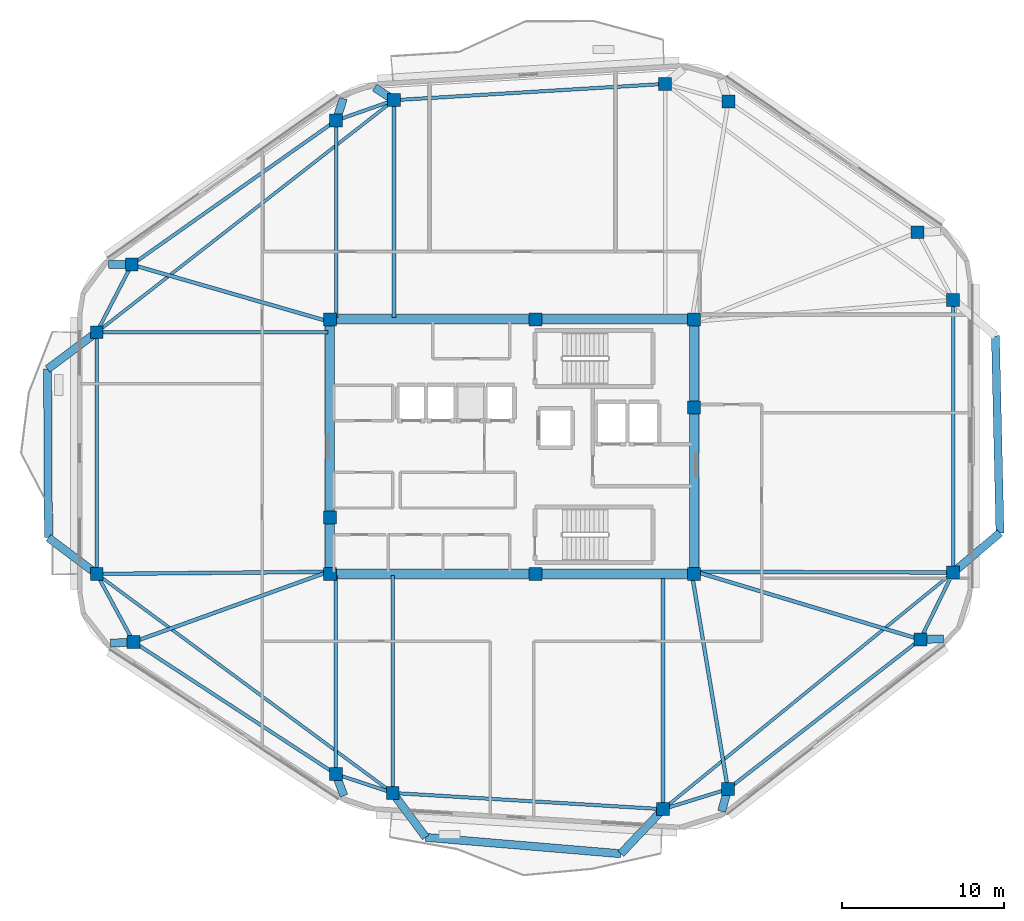
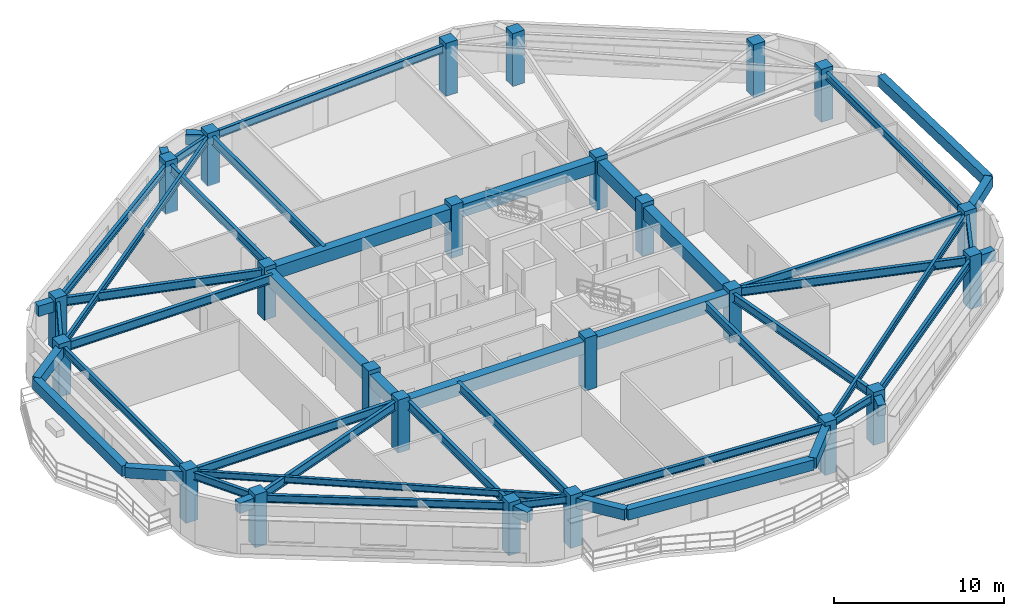
# One storey, part 1 of 10: 51 beams, 24 columns.
"""IFC4 building model written with IfcOpenShell, lengths in metres."""

from ifc_helpers import new_model, si_unit, direction, frame, origin, origin_2d, place, context, subcontext, project, spatial, rectangle, i_section, extrude, material, material_profile, profile_set, type_object, element, save


model = new_model("IFC4")

# Units and contexts
model_context = context("Model", 3, precision=1e-05, world=origin(), true_north=direction((0.0, 1.0)))
body_context = subcontext(model_context, "Body", "Model", "MODEL_VIEW")
ifc_project = project(units=[si_unit("LENGTHUNIT", "METRE"), si_unit("AREAUNIT", "SQUARE_METRE"), si_unit("VOLUMEUNIT", "CUBIC_METRE"), si_unit("PLANEANGLEUNIT", "RADIAN"), si_unit("MASSUNIT", "GRAM", prefix="KILO")], contexts=[model_context])

# Site, building, storey
site_placement = place(None, origin())
site = spatial("IfcSite", under=ifc_project, at=site_placement, CompositionType="ELEMENT")
building_placement = place(site_placement, origin())
building = spatial("IfcBuilding", under=site, at=building_placement, Name="Zulverin Broadcast Headquarters", CompositionType="ELEMENT")
storey_placement = place(building_placement, frame((0.0, 0.0, 236.39990234375)))
storey = spatial("IfcBuildingStorey", under=building, at=storey_placement, Name="L60", CompositionType="ELEMENT", Elevation=236.39990234375)

# Columns
ifc_material_1 = material(Name="Concrete C50/60", Category="concrete")
ifc_material_profile_1 = material_profile(ifc_material_1, rectangle(XDim=0.800048828125, YDim=0.800048828125, at=origin_2d()), Name="Concrete C50/60", Category="concrete")
ifc_profile_set_1 = profile_set([ifc_material_profile_1], Name="Concrete C50/60")
column_type_1 = type_object("IfcColumnType", Name="COL-RC-800", PredefinedType="COLUMN", material=ifc_profile_set_1)
for number, where, z_axis, x_axis, name in (
    (1, (29.6220703125, 3.763671875, 0.0), (0.0, 0.0, 1.0), (1.0, 0.0, 0.0), "L60 Perimeter Column T01"),
    (2, (46.3515625, 2.759521484375, 0.0), (0.0, 0.0, 1.0), (1.0, 0.0, 0.0), "L60 Perimeter Column T02"),
    (3, (50.361083984375, 4.001708984375, 0.0), (0.0, 0.0, 1.0), (1.0, 0.0, 0.0), "L60 Perimeter Column T03"),
    (4, (62.272216796875, 13.262451171875, 0.0), (0.0, 0.0, 1.0), (1.0, 0.0, 0.0), "L60 Perimeter Column T04"),
    (5, (64.300048828125, 17.40771484375, 0.0), (0.0, 0.0, 1.0), (1.0, 0.0, 0.0), "L60 Perimeter Column T05"),
    (6, (64.300048828125, 34.275634765625, 0.0), (0.0, 0.0, 1.0), (1.0, 0.0, 0.0), "L60 Perimeter Column T06"),
    (7, (62.102783203125, 38.465087890625, 0.0), (0.0, 0.0, 1.0), (1.0, 0.0, 0.0), "L60 Perimeter Column T07"),
    (8, (50.39794921875, 46.554443359375, 0.0), (0.0, 0.0, 1.0), (1.0, 0.0, 0.0), "L60 Perimeter Column T08"),
    (9, (46.4814453125, 47.6484375, 0.0), (0.0, 0.0, 1.0), (1.0, 0.0, 0.0), "L60 Perimeter Column T09"),
    (10, (29.70068359375, 46.64111328125, 0.0), (0.0, 0.0, 1.0), (1.0, 0.0, 0.0), "L60 Perimeter Column T10"),
    (11, (26.11474609375, 45.383544921875, 0.0), (0.0, 0.0, 1.0), (1.0, 0.0, 0.0), "L60 Perimeter Column T11"),
    (12, (13.46728515625, 36.457763671875, 0.0), (0.0, 0.0, 1.0), (1.0, 0.0, 0.0), "L60 Perimeter Column T12"),
    (13, (11.300048828125, 32.275390625, 0.0), (0.0, 0.0, 1.0), (1.0, 0.0, 0.0), "L60 Perimeter Column T13"),
    (14, (11.300048828125, 17.318603515625, 0.0), (0.0, 0.0, 1.0), (1.0, 0.0, 0.0), "L60 Perimeter Column T14"),
    (15, (13.576416015625, 13.11181640625, 0.0), (0.0, 0.0, 1.0), (1.0, 0.0, 0.0), "L60 Perimeter Column T15"),
    (16, (26.098876953125, 4.9287109375, 0.0), (0.0, 0.0, 1.0), (1.0, 0.0, 0.0), "L60 Perimeter Column T16"),
):
    element("IfcColumn", number, at=place(storey_placement, frame(where, z_axis=z_axis, x_axis=x_axis)), inside=storey, type_object=column_type_1, Name=name, PredefinedType="COLUMN", context=body_context, shape_type="SweptSolid", body=[
        extrude(rectangle(XDim=0.800048828125, YDim=0.800048828125, at=origin_2d()), origin(), (0.0, 0.0, 1.0), 3.800048828125),
    ])
ifc_material_profile_2 = material_profile(ifc_material_1, rectangle(XDim=0.800048828125, YDim=0.800048828125, at=origin_2d()), Name="Concrete C50/60", Category="concrete")
ifc_profile_set_2 = profile_set([ifc_material_profile_2], Name="Concrete C50/60")
column_type_2 = type_object("IfcColumnType", Name="PIL-RC-800", PredefinedType="PILASTER", material=ifc_profile_set_2)
for number, where, z_axis, x_axis, name in (
    (17, (25.72509765625, 17.324951171875, 0.0), (0.0, 0.0, 1.0), (1.0, 0.0, 0.0), "L60 Core Pilaster K01"),
    (18, (38.449951171875, 17.324951171875, 0.0), (0.0, 0.0, 1.0), (1.0, 0.0, 0.0), "L60 Core Pilaster K02"),
    (19, (48.27490234375, 17.324951171875, 0.0), (0.0, 0.0, 1.0), (1.0, 0.0, 0.0), "L60 Core Pilaster K03"),
    (20, (48.27490234375, 27.6201171875, 0.0), (0.0, 0.0, 1.0), (1.0, 0.0, 0.0), "L60 Core Pilaster K04"),
    (21, (48.27490234375, 33.074951171875, 0.0), (0.0, 0.0, 1.0), (1.0, 0.0, 0.0), "L60 Core Pilaster K05"),
    (22, (38.449951171875, 33.074951171875, 0.0), (0.0, 0.0, 1.0), (1.0, 0.0, 0.0), "L60 Core Pilaster K06"),
    (23, (25.72509765625, 33.074951171875, 0.0), (0.0, 0.0, 1.0), (1.0, 0.0, 0.0), "L60 Core Pilaster K07"),
    (24, (25.72509765625, 20.800048828125, 0.0), (0.0, 0.0, 1.0), (1.0, 0.0, 0.0), "L60 Core Pilaster K08"),
):
    element("IfcColumn", number, at=place(storey_placement, frame(where, z_axis=z_axis, x_axis=x_axis)), inside=storey, type_object=column_type_2, Name=name, PredefinedType="PILASTER", context=body_context, shape_type="SweptSolid", body=[
        extrude(rectangle(XDim=0.800048828125, YDim=0.800048828125, at=origin_2d()), origin(), (0.0, 0.0, 1.0), 3.800048828125),
    ])

# Beams
ifc_material_2 = material(Name="Concrete C60/75", Category="concrete")
ifc_material_profile_3 = material_profile(ifc_material_2, rectangle(XDim=0.60009765625, YDim=0.89990234375, at=origin_2d()), Name="Concrete C60/75", Category="concrete")
ifc_profile_set_3 = profile_set([ifc_material_profile_3], Name="Concrete C60/75")
beam_type_1 = type_object("IfcBeamType", Name="BM-CB-600x900", PredefinedType="LINTEL", material=ifc_profile_set_3)
beam_1_placement = place(storey_placement, frame((25.72509765625, 17.324951171875, 3.06005859375), z_axis=(1.0, 0.0, 0.0), x_axis=(0.0, 1.0, 0.0)))
element("IfcBeam", 25, at=beam_1_placement, inside=storey, type_object=beam_type_1, Name="L60 Core Coupling Girder K01-K02", PredefinedType="LINTEL", context=body_context, shape_type="SweptSolid", body=[
    extrude(rectangle(XDim=0.60009765625, YDim=0.89990234375, at=origin_2d()), origin(), (0.0, 0.0, 1.0), 12.724853515625),
])
beam_2_placement = place(storey_placement, frame((38.449951171875, 17.324951171875, 3.06005859375), z_axis=(1.0, 0.0, 0.0), x_axis=(0.0, 1.0, 0.0)))
element("IfcBeam", 26, at=beam_2_placement, inside=storey, type_object=beam_type_1, Name="L60 Core Coupling Girder K02-K03", PredefinedType="LINTEL", context=body_context, shape_type="SweptSolid", body=[
    extrude(rectangle(XDim=0.60009765625, YDim=0.89990234375, at=origin_2d()), origin(), (0.0, 0.0, 1.0), 9.824951171875),
])
beam_3_placement = place(storey_placement, frame((48.27490234375, 17.324951171875, 3.06005859375), z_axis=(0.0, 1.0, 0.0), x_axis=(-1.0, 0.0, 0.0)))
element("IfcBeam", 27, at=beam_3_placement, inside=storey, type_object=beam_type_1, Name="L60 Core Coupling Girder K03-K04", PredefinedType="LINTEL", context=body_context, shape_type="SweptSolid", body=[
    extrude(rectangle(XDim=0.60009765625, YDim=0.89990234375, at=origin_2d()), origin(), (0.0, 0.0, 1.0), 10.295166015625),
])
beam_4_placement = place(storey_placement, frame((48.27490234375, 27.6201171875, 3.06005859375), z_axis=(0.0, 1.0, 0.0), x_axis=(-1.0, 0.0, 0.0)))
element("IfcBeam", 28, at=beam_4_placement, inside=storey, type_object=beam_type_1, Name="L60 Core Coupling Girder K04-K05", PredefinedType="LINTEL", context=body_context, shape_type="SweptSolid", body=[
    extrude(rectangle(XDim=0.60009765625, YDim=0.89990234375, at=origin_2d()), origin(), (0.0, 0.0, 1.0), 5.454833984375),
])
beam_5_placement = place(storey_placement, frame((48.27490234375, 33.074951171875, 3.06005859375), z_axis=(-1.0, 0.0, 0.0), x_axis=(0.0, -1.0, 0.0)))
element("IfcBeam", 29, at=beam_5_placement, inside=storey, type_object=beam_type_1, Name="L60 Core Coupling Girder K05-K06", PredefinedType="LINTEL", context=body_context, shape_type="SweptSolid", body=[
    extrude(rectangle(XDim=0.60009765625, YDim=0.89990234375, at=origin_2d()), origin(), (0.0, 0.0, 1.0), 9.824951171875),
])
beam_6_placement = place(storey_placement, frame((38.449951171875, 33.074951171875, 3.06005859375), z_axis=(-1.0, 0.0, 0.0), x_axis=(0.0, -1.0, 0.0)))
element("IfcBeam", 30, at=beam_6_placement, inside=storey, type_object=beam_type_1, Name="L60 Core Coupling Girder K06-K07", PredefinedType="LINTEL", context=body_context, shape_type="SweptSolid", body=[
    extrude(rectangle(XDim=0.60009765625, YDim=0.89990234375, at=origin_2d()), origin(), (0.0, 0.0, 1.0), 12.724853515625),
])
beam_7_placement = place(storey_placement, frame((25.72509765625, 33.074951171875, 3.06005859375), z_axis=(0.0, -1.0, 0.0), x_axis=(1.0, 0.0, 0.0)))
element("IfcBeam", 31, at=beam_7_placement, inside=storey, type_object=beam_type_1, Name="L60 Core Coupling Girder K07-K08", PredefinedType="LINTEL", context=body_context, shape_type="SweptSolid", body=[
    extrude(rectangle(XDim=0.60009765625, YDim=0.89990234375, at=origin_2d()), origin(), (0.0, 0.0, 1.0), 12.27490234375),
])
beam_8_placement = place(storey_placement, frame((25.72509765625, 20.800048828125, 3.06005859375), z_axis=(0.0, -1.0, 0.0), x_axis=(1.0, 0.0, 0.0)))
element("IfcBeam", 32, at=beam_8_placement, inside=storey, type_object=beam_type_1, Name="L60 Core Coupling Girder K08-K01", PredefinedType="LINTEL", context=body_context, shape_type="SweptSolid", body=[
    extrude(rectangle(XDim=0.60009765625, YDim=0.89990234375, at=origin_2d()), origin(), (0.0, 0.0, 1.0), 3.47509765625),
])
ifc_material_3 = material(Name="Concrete C40/50", Category="concrete")
ifc_material_profile_4 = material_profile(ifc_material_3, rectangle(XDim=0.5, YDim=0.75, at=origin_2d()), Name="Concrete C40/50", Category="concrete")
ifc_profile_set_4 = profile_set([ifc_material_profile_4], Name="Concrete C40/50")
beam_type_2 = type_object("IfcBeamType", Name="BM-RC-500x750", PredefinedType="BEAM", material=ifc_profile_set_4)
beam_9_placement = place(storey_placement, frame((50.361083984375, 4.001708984375, 3.135009765625), z_axis=(-0.269914876125, -0.962884188076, 0.0), x_axis=(0.962884188076, -0.269914876125, 0.0)))
element("IfcBeam", 33, at=beam_9_placement, inside=storey, type_object=beam_type_2, Name="L61 Plate Overhang Back-Spanned Beam OVR-03", PredefinedType="BEAM", context=body_context, shape_type="SweptSolid", body=[
    extrude(rectangle(XDim=0.5, YDim=0.75, at=origin_2d()), origin(), (0.0, 0.0, 1.0), 1.429931640625),
])
beam_10_placement = place(storey_placement, frame((62.272216796875, 13.262451171875, 3.135009765625), z_axis=(0.999706131466, 0.024241507969, 0.0), x_axis=(-0.024241507969, 0.999706131466, 0.0)))
element("IfcBeam", 34, at=beam_10_placement, inside=storey, type_object=beam_type_2, Name="L61 Plate Overhang Back-Spanned Beam OVR-04", PredefinedType="BEAM", context=body_context, shape_type="SweptSolid", body=[
    extrude(rectangle(XDim=0.5, YDim=0.75, at=origin_2d()), origin(), (0.0, 0.0, 1.0), 1.43017578125),
])
beam_11_placement = place(storey_placement, frame((29.70068359375, 46.64111328125, 3.135009765625), z_axis=(-0.8384046017, 0.545048368356, 0.0), x_axis=(-0.545048368356, -0.8384046017, 0.0)))
element("IfcBeam", 35, at=beam_11_placement, inside=storey, type_object=beam_type_2, Name="L61 Plate Overhang Back-Spanned Beam OVR-10", PredefinedType="BEAM", context=body_context, shape_type="SweptSolid", body=[
    extrude(rectangle(XDim=0.5, YDim=0.75, at=origin_2d()), origin(), (0.0, 0.0, 1.0), 1.4296875),
])
beam_12_placement = place(storey_placement, frame((26.11474609375, 45.383544921875, 3.135009765625), z_axis=(0.314280982662, 0.94933000792, 0.0), x_axis=(-0.94933000792, 0.314280982662, 0.0)))
element("IfcBeam", 36, at=beam_12_placement, inside=storey, type_object=beam_type_2, Name="L61 Plate Overhang Back-Spanned Beam OVR-11", PredefinedType="BEAM", context=body_context, shape_type="SweptSolid", body=[
    extrude(rectangle(XDim=0.5, YDim=0.75, at=origin_2d()), origin(), (0.0, 0.0, 1.0), 1.43017578125),
])
beam_13_placement = place(storey_placement, frame((13.46728515625, 36.457763671875, 3.135009765625), z_axis=(-0.999761201155, 0.02185270385, 0.0), x_axis=(-0.02185270385, -0.999761201155, 0.0)))
element("IfcBeam", 37, at=beam_13_placement, inside=storey, type_object=beam_type_2, Name="L61 Plate Overhang Back-Spanned Beam OVR-12", PredefinedType="BEAM", context=body_context, shape_type="SweptSolid", body=[
    extrude(rectangle(XDim=0.5, YDim=0.75, at=origin_2d()), origin(), (0.0, 0.0, 1.0), 1.429931640625),
])
beam_14_placement = place(storey_placement, frame((13.576416015625, 13.11181640625, 3.135009765625), z_axis=(-0.998333895448, -0.057701240879, 0.0), x_axis=(0.057701240879, -0.998333895448, 0.0)))
element("IfcBeam", 38, at=beam_14_placement, inside=storey, type_object=beam_type_2, Name="L61 Plate Overhang Back-Spanned Beam OVR-15", PredefinedType="BEAM", context=body_context, shape_type="SweptSolid", body=[
    extrude(rectangle(XDim=0.5, YDim=0.75, at=origin_2d()), origin(), (0.0, 0.0, 1.0), 1.43017578125),
])
beam_15_placement = place(storey_placement, frame((26.098876953125, 4.9287109375, 3.135009765625), z_axis=(0.348109371259, -0.93745392721, 0.0), x_axis=(0.93745392721, 0.348109371259, 0.0)))
element("IfcBeam", 39, at=beam_15_placement, inside=storey, type_object=beam_type_2, Name="L61 Plate Overhang Back-Spanned Beam OVR-16", PredefinedType="BEAM", context=body_context, shape_type="SweptSolid", body=[
    extrude(rectangle(XDim=0.5, YDim=0.75, at=origin_2d()), origin(), (0.0, 0.0, 1.0), 1.429931640625),
])
beam_16_placement = place(storey_placement, frame((64.300048828125, 17.40771484375, 3.135009765625), z_axis=(0.763327794612, 0.646011360561, 0.0), x_axis=(-0.646011360561, 0.763327794612, 0.0)))
element("IfcBeam", 40, at=beam_16_placement, inside=storey, type_object=beam_type_2, Name="L61 Balcony Column-Framed Cantilever BAL_E-1", PredefinedType="BEAM", context=body_context, shape_type="SweptSolid", body=[
    extrude(rectangle(XDim=0.5, YDim=0.75, at=origin_2d()), origin(), (0.0, 0.0, 1.0), 3.800048828125),
])
beam_17_placement = place(storey_placement, frame((67.20068359375, 19.862548828125, 3.135009765625), z_axis=(-0.023014621115, 0.999735128529, 0.0), x_axis=(-0.999735128529, -0.023014621115, 0.0)))
element("IfcBeam", 41, at=beam_17_placement, inside=storey, type_object=beam_type_2, Name="L61 Balcony Outer Edge Trimmer Beam BAL_E", PredefinedType="BEAM", context=body_context, shape_type="SweptSolid", body=[
    extrude(rectangle(XDim=0.5, YDim=0.75, at=origin_2d()), origin(), (0.0, 0.0, 1.0), 12.19921875),
])
beam_18_placement = place(storey_placement, frame((29.6220703125, 3.763671875, 3.135009765625), z_axis=(0.596524912224, -0.802594560844, 0.0), x_axis=(0.802594560844, 0.596524912224, 0.0)))
element("IfcBeam", 42, at=beam_18_placement, inside=storey, type_object=beam_type_2, Name="L61 Balcony Column-Framed Cantilever BAL_S-1", PredefinedType="BEAM", context=body_context, shape_type="SweptSolid", body=[
    extrude(rectangle(XDim=0.5, YDim=0.75, at=origin_2d()), origin(), (0.0, 0.0, 1.0), 3.4228515625),
])
beam_19_placement = place(storey_placement, frame((46.3515625, 2.759521484375, 3.135009765625), z_axis=(-0.688229218548, -0.725493309918, 0.0), x_axis=(0.725493309918, -0.688229218548, 0.0)))
element("IfcBeam", 43, at=beam_19_placement, inside=storey, type_object=beam_type_2, Name="L61 Balcony Column-Framed Cantilever BAL_S-2", PredefinedType="BEAM", context=body_context, shape_type="SweptSolid", body=[
    extrude(rectangle(XDim=0.5, YDim=0.75, at=origin_2d()), origin(), (0.0, 0.0, 1.0), 3.800048828125),
])
beam_20_placement = place(storey_placement, frame((31.663818359375, 1.0166015625, 3.135009765625), z_axis=(0.99649176449, -0.08369087945, 0.0), x_axis=(0.08369087945, 0.99649176449, 0.0)))
element("IfcBeam", 44, at=beam_20_placement, inside=storey, type_object=beam_type_2, Name="L61 Balcony Outer Edge Trimmer Beam BAL_S", PredefinedType="BEAM", context=body_context, shape_type="SweptSolid", body=[
    extrude(rectangle(XDim=0.5, YDim=0.75, at=origin_2d()), origin(), (0.0, 0.0, 1.0), 12.114990234375),
])
beam_21_placement = place(storey_placement, frame((11.300048828125, 32.275390625, 3.135009765625), z_axis=(-0.80024663654, -0.599671010394, 0.0), x_axis=(0.599671010394, -0.80024663654, 0.0)))
element("IfcBeam", 45, at=beam_21_placement, inside=storey, type_object=beam_type_2, Name="L61 Balcony Column-Framed Cantilever BAL_W-1", PredefinedType="BEAM", context=body_context, shape_type="SweptSolid", body=[
    extrude(rectangle(XDim=0.5, YDim=0.75, at=origin_2d()), origin(), (0.0, 0.0, 1.0), 3.800048828125),
])
beam_22_placement = place(storey_placement, frame((11.300048828125, 17.318603515625, 3.135009765625), z_axis=(-0.80025049791, 0.599665857452, 0.0), x_axis=(-0.599665857452, -0.80025049791, 0.0)))
element("IfcBeam", 46, at=beam_22_placement, inside=storey, type_object=beam_type_2, Name="L61 Balcony Column-Framed Cantilever BAL_W-2", PredefinedType="BEAM", context=body_context, shape_type="SweptSolid", body=[
    extrude(rectangle(XDim=0.5, YDim=0.75, at=origin_2d()), origin(), (0.0, 0.0, 1.0), 3.741455078125),
])
beam_23_placement = place(storey_placement, frame((8.259033203125, 29.99658203125, 3.135009765625), z_axis=(0.004492338674, -0.999989909396, 0.0), x_axis=(0.999989909396, 0.004492338674, 0.0)))
element("IfcBeam", 47, at=beam_23_placement, inside=storey, type_object=beam_type_2, Name="L61 Balcony Outer Edge Trimmer Beam BAL_W", PredefinedType="BEAM", context=body_context, shape_type="SweptSolid", body=[
    extrude(rectangle(XDim=0.5, YDim=0.75, at=origin_2d()), origin(), (0.0, 0.0, 1.0), 10.434326171875),
])
ifc_material_4 = material(Name="Structural steel S355JR", Category="steel")
ifc_material_profile_5 = material_profile(ifc_material_4, i_section(OverallWidth=0.19287109375, OverallDepth=0.46728515625, WebThickness=0.011474609375, FlangeThickness=0.01953125, at=origin_2d()), Name="Structural steel S355JR", Category="steel")
ifc_profile_set_5 = profile_set([ifc_material_profile_5], Name="Structural steel S355JR")
beam_type_3 = type_object("IfcBeamType", Name="BM-UB-457", PredefinedType="JOIST", material=ifc_profile_set_5)
beam_24_placement = place(storey_placement, frame((46.3515625, 2.759521484375, 3.276611328125), z_axis=(0.77473799882, 0.632282399869, 0.0), x_axis=(-0.632282399869, 0.77473799882, 0.0)))
element("IfcBeam", 48, at=beam_24_placement, inside=storey, type_object=beam_type_3, Name="L60 Chordal Floor Joist J-01", PredefinedType="JOIST", context=body_context, shape_type="SweptSolid", body=[
    extrude(i_section(OverallWidth=0.19287109375, OverallDepth=0.46728515625, WebThickness=0.011474609375, FlangeThickness=0.01953125, at=origin_2d()), origin(), (0.0, 0.0, 1.0), 23.167236328125),
])
beam_25_placement = place(storey_placement, frame((29.70068359375, 46.64111328125, 3.276611328125), z_axis=(-0.788227438956, -0.615384030079, 0.0), x_axis=(0.615384030079, -0.788227438956, 0.0)))
element("IfcBeam", 49, at=beam_25_placement, inside=storey, type_object=beam_type_3, Name="L60 Chordal Floor Joist J-03", PredefinedType="JOIST", context=body_context, shape_type="SweptSolid", body=[
    extrude(i_section(OverallWidth=0.19287109375, OverallDepth=0.46728515625, WebThickness=0.011474609375, FlangeThickness=0.01953125, at=origin_2d()), origin(), (0.0, 0.0, 1.0), 23.34423828125),
])
beam_26_placement = place(storey_placement, frame((11.300048828125, 17.318603515625, 3.276611328125), z_axis=(0.803912476144, -0.594747619332, 0.0), x_axis=(0.594747619332, 0.803912476144, 0.0)))
element("IfcBeam", 50, at=beam_26_placement, inside=storey, type_object=beam_type_3, Name="L60 Chordal Floor Joist J-04", PredefinedType="JOIST", context=body_context, shape_type="SweptSolid", body=[
    extrude(i_section(OverallWidth=0.19287109375, OverallDepth=0.46728515625, WebThickness=0.011474609375, FlangeThickness=0.01953125, at=origin_2d()), origin(), (0.0, 0.0, 1.0), 22.791015625),
])
ifc_material_profile_6 = material_profile(ifc_material_4, i_section(OverallWidth=0.2119140625, OverallDepth=0.54443359375, WebThickness=0.0126953125, FlangeThickness=0.021240234375, at=origin_2d()), Name="Structural steel S355JR", Category="steel")
ifc_profile_set_6 = profile_set([ifc_material_profile_6], Name="Structural steel S355JR")
beam_type_4 = type_object("IfcBeamType", Name="BM-UB-533", PredefinedType="SPANDREL", material=ifc_profile_set_6)
beam_27_placement = place(storey_placement, frame((29.6220703125, 3.763671875, 3.23779296875), z_axis=(0.998203486609, -0.059914934044, 0.0), x_axis=(0.059914934044, 0.998203486609, 0.0)))
element("IfcBeam", 51, at=beam_27_placement, inside=storey, type_object=beam_type_4, Name="L60 Perimeter Spandrel Beam SP-01", PredefinedType="SPANDREL", context=body_context, shape_type="SweptSolid", body=[
    extrude(i_section(OverallWidth=0.2119140625, OverallDepth=0.54443359375, WebThickness=0.0126953125, FlangeThickness=0.021240234375, at=origin_2d()), origin(), (0.0, 0.0, 1.0), 16.759521484375),
])
beam_28_placement = place(storey_placement, frame((46.3515625, 2.759521484375, 3.23779296875), z_axis=(0.955208799219, 0.295932677978, 0.0), x_axis=(-0.295932677978, 0.955208799219, 0.0)))
element("IfcBeam", 52, at=beam_28_placement, inside=storey, type_object=beam_type_4, Name="L60 Perimeter Spandrel Beam SP-02", PredefinedType="SPANDREL", context=body_context, shape_type="SweptSolid", body=[
    extrude(i_section(OverallWidth=0.2119140625, OverallDepth=0.54443359375, WebThickness=0.0126953125, FlangeThickness=0.021240234375, at=origin_2d()), origin(), (0.0, 0.0, 1.0), 4.197509765625),
])
beam_29_placement = place(storey_placement, frame((50.361083984375, 4.001708984375, 3.23779296875), z_axis=(0.789463732329, 0.613797210271, 0.0), x_axis=(-0.613797210271, 0.789463732329, 0.0)))
element("IfcBeam", 53, at=beam_29_placement, inside=storey, type_object=beam_type_4, Name="L60 Perimeter Spandrel Beam SP-03", PredefinedType="SPANDREL", context=body_context, shape_type="SweptSolid", body=[
    extrude(i_section(OverallWidth=0.2119140625, OverallDepth=0.54443359375, WebThickness=0.0126953125, FlangeThickness=0.021240234375, at=origin_2d()), origin(), (0.0, 0.0, 1.0), 15.087646484375),
])
beam_30_placement = place(storey_placement, frame((62.272216796875, 13.262451171875, 3.23779296875), z_axis=(0.439430258265, 0.898276710219, 0.0), x_axis=(-0.898276710219, 0.439430258265, 0.0)))
element("IfcBeam", 54, at=beam_30_placement, inside=storey, type_object=beam_type_4, Name="L60 Perimeter Spandrel Beam SP-04", PredefinedType="SPANDREL", context=body_context, shape_type="SweptSolid", body=[
    extrude(i_section(OverallWidth=0.2119140625, OverallDepth=0.54443359375, WebThickness=0.0126953125, FlangeThickness=0.021240234375, at=origin_2d()), origin(), (0.0, 0.0, 1.0), 4.61474609375),
])
beam_31_placement = place(storey_placement, frame((64.300048828125, 17.40771484375, 3.23779296875), z_axis=(0.0, 1.0, 0.0), x_axis=(-1.0, 0.0, 0.0)))
element("IfcBeam", 55, at=beam_31_placement, inside=storey, type_object=beam_type_4, Name="L60 Perimeter Spandrel Beam SP-05", PredefinedType="SPANDREL", context=body_context, shape_type="SweptSolid", body=[
    extrude(i_section(OverallWidth=0.2119140625, OverallDepth=0.54443359375, WebThickness=0.0126953125, FlangeThickness=0.021240234375, at=origin_2d()), origin(), (0.0, 0.0, 1.0), 16.867919921875),
])
beam_32_placement = place(storey_placement, frame((46.4814453125, 47.6484375, 3.23779296875), z_axis=(-0.99820314332, -0.059920653088, 0.0), x_axis=(0.059920653088, -0.99820314332, 0.0)))
element("IfcBeam", 56, at=beam_32_placement, inside=storey, type_object=beam_type_4, Name="L60 Perimeter Spandrel Beam SP-09", PredefinedType="SPANDREL", context=body_context, shape_type="SweptSolid", body=[
    extrude(i_section(OverallWidth=0.2119140625, OverallDepth=0.54443359375, WebThickness=0.0126953125, FlangeThickness=0.021240234375, at=origin_2d()), origin(), (0.0, 0.0, 1.0), 16.81103515625),
])
beam_33_placement = place(storey_placement, frame((29.70068359375, 46.64111328125, 3.23779296875), z_axis=(-0.943653845921, -0.330934161243, 0.0), x_axis=(0.330934161243, -0.943653845921, 0.0)))
element("IfcBeam", 57, at=beam_33_placement, inside=storey, type_object=beam_type_4, Name="L60 Perimeter Spandrel Beam SP-10", PredefinedType="SPANDREL", context=body_context, shape_type="SweptSolid", body=[
    extrude(i_section(OverallWidth=0.2119140625, OverallDepth=0.54443359375, WebThickness=0.0126953125, FlangeThickness=0.021240234375, at=origin_2d()), origin(), (0.0, 0.0, 1.0), 3.800048828125),
])
beam_34_placement = place(storey_placement, frame((26.11474609375, 45.383544921875, 3.23779296875), z_axis=(-0.817023806154, -0.576603937012, 0.0), x_axis=(0.576603937012, -0.817023806154, 0.0)))
element("IfcBeam", 58, at=beam_34_placement, inside=storey, type_object=beam_type_4, Name="L60 Perimeter Spandrel Beam SP-11", PredefinedType="SPANDREL", context=body_context, shape_type="SweptSolid", body=[
    extrude(i_section(OverallWidth=0.2119140625, OverallDepth=0.54443359375, WebThickness=0.0126953125, FlangeThickness=0.021240234375, at=origin_2d()), origin(), (0.0, 0.0, 1.0), 15.47998046875),
])
beam_35_placement = place(storey_placement, frame((13.46728515625, 36.457763671875, 3.23779296875), z_axis=(-0.460082658911, -0.887876087621, 0.0), x_axis=(0.887876087621, -0.460082658911, 0.0)))
element("IfcBeam", 59, at=beam_35_placement, inside=storey, type_object=beam_type_4, Name="L60 Perimeter Spandrel Beam SP-12", PredefinedType="SPANDREL", context=body_context, shape_type="SweptSolid", body=[
    extrude(i_section(OverallWidth=0.2119140625, OverallDepth=0.54443359375, WebThickness=0.0126953125, FlangeThickness=0.021240234375, at=origin_2d()), origin(), (0.0, 0.0, 1.0), 4.71044921875),
])
beam_36_placement = place(storey_placement, frame((11.300048828125, 32.275390625, 3.23779296875), z_axis=(0.0, -1.0, 0.0), x_axis=(1.0, 0.0, 0.0)))
element("IfcBeam", 60, at=beam_36_placement, inside=storey, type_object=beam_type_4, Name="L60 Perimeter Spandrel Beam SP-13", PredefinedType="SPANDREL", context=body_context, shape_type="SweptSolid", body=[
    extrude(i_section(OverallWidth=0.2119140625, OverallDepth=0.54443359375, WebThickness=0.0126953125, FlangeThickness=0.021240234375, at=origin_2d()), origin(), (0.0, 0.0, 1.0), 14.956787109375),
])
beam_37_placement = place(storey_placement, frame((11.300048828125, 17.318603515625, 3.23779296875), z_axis=(0.475909852672, -0.879494066, 0.0), x_axis=(0.879494066, 0.475909852672, 0.0)))
element("IfcBeam", 61, at=beam_37_placement, inside=storey, type_object=beam_type_4, Name="L60 Perimeter Spandrel Beam SP-14", PredefinedType="SPANDREL", context=body_context, shape_type="SweptSolid", body=[
    extrude(i_section(OverallWidth=0.2119140625, OverallDepth=0.54443359375, WebThickness=0.0126953125, FlangeThickness=0.021240234375, at=origin_2d()), origin(), (0.0, 0.0, 1.0), 4.783203125),
])
beam_38_placement = place(storey_placement, frame((13.576416015625, 13.11181640625, 3.23779296875), z_axis=(0.837112191398, -0.547031241349, 0.0), x_axis=(0.547031241349, 0.837112191398, 0.0)))
element("IfcBeam", 62, at=beam_38_placement, inside=storey, type_object=beam_type_4, Name="L60 Perimeter Spandrel Beam SP-15", PredefinedType="SPANDREL", context=body_context, shape_type="SweptSolid", body=[
    extrude(i_section(OverallWidth=0.2119140625, OverallDepth=0.54443359375, WebThickness=0.0126953125, FlangeThickness=0.021240234375, at=origin_2d()), origin(), (0.0, 0.0, 1.0), 14.959228515625),
])
beam_39_placement = place(storey_placement, frame((26.098876953125, 4.9287109375, 3.23779296875), z_axis=(0.949437184981, -0.313957054031, 0.0), x_axis=(0.313957054031, 0.949437184981, 0.0)))
element("IfcBeam", 63, at=beam_39_placement, inside=storey, type_object=beam_type_4, Name="L60 Perimeter Spandrel Beam SP-16", PredefinedType="SPANDREL", context=body_context, shape_type="SweptSolid", body=[
    extrude(i_section(OverallWidth=0.2119140625, OverallDepth=0.54443359375, WebThickness=0.0126953125, FlangeThickness=0.021240234375, at=origin_2d()), origin(), (0.0, 0.0, 1.0), 3.7109375),
])
ifc_material_profile_7 = material_profile(ifc_material_4, i_section(OverallWidth=0.230224609375, OverallDepth=0.6171875, WebThickness=0.01318359375, FlangeThickness=0.022216796875, at=origin_2d()), Name="Structural steel S355JR", Category="steel")
ifc_profile_set_7 = profile_set([ifc_material_profile_7], Name="Structural steel S355JR")
beam_type_5 = type_object("IfcBeamType", Name="BM-UB-610", PredefinedType="BEAM", material=ifc_profile_set_7)
beam_40_placement = place(storey_placement, frame((29.6220703125, 17.22509765625, 3.201416015625), z_axis=(0.0, -1.0, 0.0), x_axis=(1.0, 0.0, 0.0)))
element("IfcBeam", 64, at=beam_40_placement, inside=storey, type_object=beam_type_5, Name="L60 Radial Primary Floor Beam RB-01", PredefinedType="BEAM", context=body_context, shape_type="SweptSolid", body=[
    extrude(i_section(OverallWidth=0.230224609375, OverallDepth=0.6171875, WebThickness=0.01318359375, FlangeThickness=0.022216796875, at=origin_2d()), origin(), (0.0, 0.0, 1.0), 13.46142578125),
])
beam_41_placement = place(storey_placement, frame((46.3515625, 17.22509765625, 3.201416015625), z_axis=(0.0, -1.0, 0.0), x_axis=(1.0, 0.0, 0.0)))
element("IfcBeam", 65, at=beam_41_placement, inside=storey, type_object=beam_type_5, Name="L60 Radial Primary Floor Beam RB-02", PredefinedType="BEAM", context=body_context, shape_type="SweptSolid", body=[
    extrude(i_section(OverallWidth=0.230224609375, OverallDepth=0.6171875, WebThickness=0.01318359375, FlangeThickness=0.022216796875, at=origin_2d()), origin(), (0.0, 0.0, 1.0), 14.465576171875),
])
beam_42_placement = place(storey_placement, frame((48.14990234375, 17.22509765625, 3.201416015625), z_axis=(0.1649275445, -0.986305685407, 0.0), x_axis=(0.986305685407, 0.1649275445, 0.0)))
element("IfcBeam", 66, at=beam_42_placement, inside=storey, type_object=beam_type_5, Name="L60 Radial Primary Floor Beam RB-03", PredefinedType="BEAM", context=body_context, shape_type="SweptSolid", body=[
    extrude(i_section(OverallWidth=0.230224609375, OverallDepth=0.6171875, WebThickness=0.01318359375, FlangeThickness=0.022216796875, at=origin_2d()), origin(), (0.0, 0.0, 1.0), 13.406982421875),
])
beam_43_placement = place(storey_placement, frame((48.375, 17.449951171875, 3.201416015625), z_axis=(0.957477907331, -0.288506597799, 0.0), x_axis=(0.288506597799, 0.957477907331, 0.0)))
element("IfcBeam", 67, at=beam_43_placement, inside=storey, type_object=beam_type_5, Name="L60 Radial Primary Floor Beam RB-04", PredefinedType="BEAM", context=body_context, shape_type="SweptSolid", body=[
    extrude(i_section(OverallWidth=0.230224609375, OverallDepth=0.6171875, WebThickness=0.01318359375, FlangeThickness=0.022216796875, at=origin_2d()), origin(), (0.0, 0.0, 1.0), 14.514404296875),
])
beam_44_placement = place(storey_placement, frame((48.375, 17.449951171875, 3.201416015625), z_axis=(0.999996482951, -0.002652185248, 0.0), x_axis=(0.002652185248, 0.999996482951, 0.0)))
element("IfcBeam", 68, at=beam_44_placement, inside=storey, type_object=beam_type_5, Name="L60 Radial Primary Floor Beam RB-05", PredefinedType="BEAM", context=body_context, shape_type="SweptSolid", body=[
    extrude(i_section(OverallWidth=0.230224609375, OverallDepth=0.6171875, WebThickness=0.01318359375, FlangeThickness=0.022216796875, at=origin_2d()), origin(), (0.0, 0.0, 1.0), 15.925048828125),
])
beam_45_placement = place(storey_placement, frame((29.70068359375, 33.175048828125, 3.201416015625), z_axis=(0.0, 1.0, 0.0), x_axis=(-1.0, 0.0, 0.0)))
element("IfcBeam", 69, at=beam_45_placement, inside=storey, type_object=beam_type_5, Name="L60 Radial Primary Floor Beam RB-10", PredefinedType="BEAM", context=body_context, shape_type="SweptSolid", body=[
    extrude(i_section(OverallWidth=0.230224609375, OverallDepth=0.6171875, WebThickness=0.01318359375, FlangeThickness=0.022216796875, at=origin_2d()), origin(), (0.0, 0.0, 1.0), 13.466064453125),
])
beam_46_placement = place(storey_placement, frame((26.11474609375, 33.175048828125, 3.201416015625), z_axis=(0.0, 1.0, 0.0), x_axis=(-1.0, 0.0, 0.0)))
element("IfcBeam", 70, at=beam_46_placement, inside=storey, type_object=beam_type_5, Name="L60 Radial Primary Floor Beam RB-11", PredefinedType="BEAM", context=body_context, shape_type="SweptSolid", body=[
    extrude(i_section(OverallWidth=0.230224609375, OverallDepth=0.6171875, WebThickness=0.01318359375, FlangeThickness=0.022216796875, at=origin_2d()), origin(), (0.0, 0.0, 1.0), 12.20849609375),
])
beam_47_placement = place(storey_placement, frame((25.625, 32.949951171875, 3.201416015625), z_axis=(-0.960807187215, 0.277217512067, 0.0), x_axis=(-0.277217512067, -0.960807187215, 0.0)))
element("IfcBeam", 71, at=beam_47_placement, inside=storey, type_object=beam_type_5, Name="L60 Radial Primary Floor Beam RB-12", PredefinedType="BEAM", context=body_context, shape_type="SweptSolid", body=[
    extrude(i_section(OverallWidth=0.230224609375, OverallDepth=0.6171875, WebThickness=0.01318359375, FlangeThickness=0.022216796875, at=origin_2d()), origin(), (0.0, 0.0, 1.0), 12.653564453125),
])
beam_48_placement = place(storey_placement, frame((25.625, 32.275390625, 3.201416015625), z_axis=(-1.0, 0.0, 0.0), x_axis=(0.0, -1.0, 0.0)))
element("IfcBeam", 72, at=beam_48_placement, inside=storey, type_object=beam_type_5, Name="L60 Radial Primary Floor Beam RB-13", PredefinedType="BEAM", context=body_context, shape_type="SweptSolid", body=[
    extrude(i_section(OverallWidth=0.230224609375, OverallDepth=0.6171875, WebThickness=0.01318359375, FlangeThickness=0.022216796875, at=origin_2d()), origin(), (0.0, 0.0, 1.0), 14.324951171875),
])
beam_49_placement = place(storey_placement, frame((25.625, 17.449951171875, 3.201416015625), z_axis=(-0.999957965975, -0.009168766693, 0.0), x_axis=(0.009168766693, -0.999957965975, 0.0)))
element("IfcBeam", 73, at=beam_49_placement, inside=storey, type_object=beam_type_5, Name="L60 Radial Primary Floor Beam RB-14", PredefinedType="BEAM", context=body_context, shape_type="SweptSolid", body=[
    extrude(i_section(OverallWidth=0.230224609375, OverallDepth=0.6171875, WebThickness=0.01318359375, FlangeThickness=0.022216796875, at=origin_2d()), origin(), (0.0, 0.0, 1.0), 14.325439453125),
])
beam_50_placement = place(storey_placement, frame((25.625, 17.449951171875, 3.201416015625), z_axis=(-0.940871370382, -0.338764024646, 0.0), x_axis=(0.338764024646, -0.940871370382, 0.0)))
element("IfcBeam", 74, at=beam_50_placement, inside=storey, type_object=beam_type_5, Name="L60 Radial Primary Floor Beam RB-15", PredefinedType="BEAM", context=body_context, shape_type="SweptSolid", body=[
    extrude(i_section(OverallWidth=0.230224609375, OverallDepth=0.6171875, WebThickness=0.01318359375, FlangeThickness=0.022216796875, at=origin_2d()), origin(), (0.0, 0.0, 1.0), 12.8056640625),
])
beam_51_placement = place(storey_placement, frame((26.098876953125, 17.22509765625, 3.201416015625), z_axis=(0.0, -1.0, 0.0), x_axis=(1.0, 0.0, 0.0)))
element("IfcBeam", 75, at=beam_51_placement, inside=storey, type_object=beam_type_5, Name="L60 Radial Primary Floor Beam RB-16", PredefinedType="BEAM", context=body_context, shape_type="SweptSolid", body=[
    extrude(i_section(OverallWidth=0.230224609375, OverallDepth=0.6171875, WebThickness=0.01318359375, FlangeThickness=0.022216796875, at=origin_2d()), origin(), (0.0, 0.0, 1.0), 12.29638671875),
])

save(model, "model.ifc")
